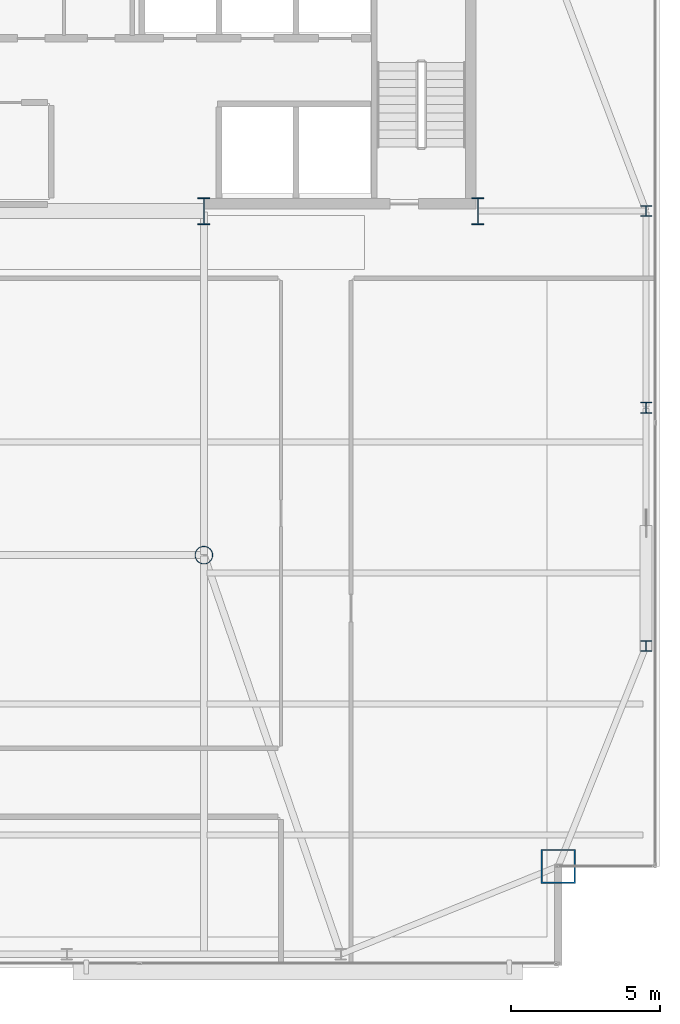
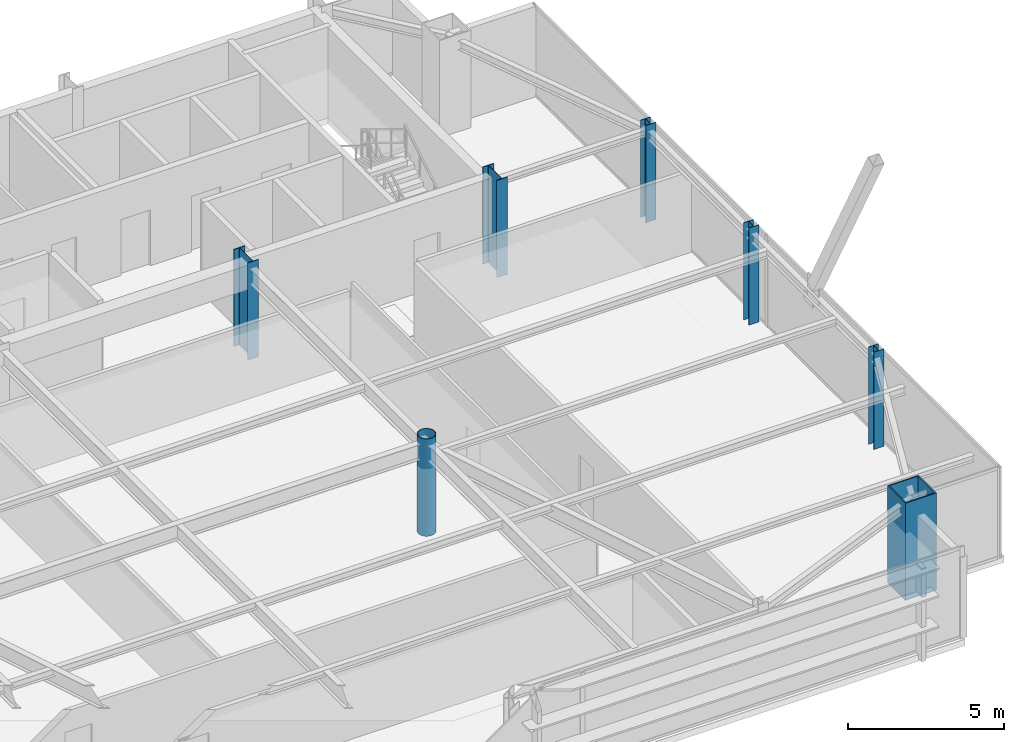
# One storey, part 2 of 27: 7 columns.
"""IFC4 building model written with IfcOpenShell, lengths in metres."""

from ifc_helpers import new_model, si_unit, direction, frame, origin, origin_2d, place, context, subcontext, project, spatial, hollow_rectangle, hollow_circle, i_section, extrude, source, transform, mapped, material, material_profile, profile_set, type_object, type_shapes, element, save


model = new_model("IFC4")

# Units and contexts
model_context = context("Model", 3, precision=1e-05, world=origin(), true_north=direction((0.0, 1.0)))
body_context = subcontext(model_context, "Body", "Model", "MODEL_VIEW")
ifc_project = project(units=[si_unit("LENGTHUNIT", "METRE"), si_unit("AREAUNIT", "SQUARE_METRE"), si_unit("VOLUMEUNIT", "CUBIC_METRE"), si_unit("PLANEANGLEUNIT", "RADIAN"), si_unit("MASSUNIT", "GRAM", prefix="KILO")], contexts=[model_context])

# Site, building, storey
site_placement = place(None, origin())
site = spatial("IfcSite", under=ifc_project, at=site_placement, CompositionType="ELEMENT")
building_placement = place(site_placement, origin())
building = spatial("IfcBuilding", under=site, at=building_placement, Name="Varnel Quay Broadcast Tower", CompositionType="ELEMENT")
storey_placement = place(building_placement, frame((0.0, 0.0, 203.60009765625)))
storey = spatial("IfcBuildingStorey", under=building, at=storey_placement, Name="L50", CompositionType="ELEMENT", Elevation=203.60009765625)

# Columns
ifc_material_1 = material(Name="Structural Steel CSA G40.21 350WT", Category="steel")
ifc_material_profile_1 = material_profile(ifc_material_1, i_section(OverallWidth=0.39990234375, OverallDepth=0.89990234375, WebThickness=0.01611328125, FlangeThickness=0.028076171875, FilletRadius=0.01611328125, at=origin_2d()), Name="WWF900X309")
ifc_profile_set_1 = profile_set([ifc_material_profile_1], Name="Structural Steel CSA G40.21 350WT")
column_type_1 = type_object("IfcColumnType", Name="Col_WWF900X309", PredefinedType="COLUMN", material=ifc_profile_set_1)
shared_shape_1 = source(origin(), body_context, "Body", "SweptSolid", [
    extrude(i_section(OverallWidth=0.39990234375, OverallDepth=0.89990234375, WebThickness=0.01611328125, FlangeThickness=0.028076171875, FilletRadius=0.01611328125, at=origin_2d()), origin(), (0.0, 0.0, 1.0), 3.7998046875),
])
type_shapes(column_type_1, [shared_shape_1])
for number, where, z_axis, x_axis, name in (
    (1, (43.199951171875, 35.60009765625, 0.0), (0.0, 0.0, 1.0), (1.0, 0.0, 0.0), "L50 Column CC-S4"),
    (2, (52.39990234375, 35.60009765625, 0.0), (0.0, 0.0, 1.0), (1.0, 0.0, 0.0), "L50 Column CC-S5"),
):
    element("IfcColumn", number, at=place(storey_placement, frame(where, z_axis=z_axis, x_axis=x_axis)), inside=storey, type_object=column_type_1, Name=name, PredefinedType="COLUMN", context=body_context, shape_type="MappedRepresentation", body=[
        mapped(shared_shape_1, transform((0.0, 0.0, 0.0), x_axis=(1.0, 0.0, 0.0), y_axis=(0.0, 1.0, 0.0), z_axis=(0.0, 0.0, 1.0), scale=1.0)),
    ])
ifc_material_profile_2 = material_profile(ifc_material_1, hollow_rectangle(XDim=1.14990234375, YDim=1.14990234375, WallThickness=0.044921875, at=origin_2d()), Name="BOX1150X1150X45")
ifc_profile_set_2 = profile_set([ifc_material_profile_2], Name="Structural Steel CSA G40.21 350WT")
column_type_2 = type_object("IfcColumnType", Name="Col_BOX1150X1150X45", PredefinedType="COLUMN", material=ifc_profile_set_2)
shared_shape_2 = source(origin(), body_context, "Body", "SweptSolid", [
    extrude(hollow_rectangle(XDim=1.14990234375, YDim=1.14990234375, WallThickness=0.044921875, at=origin_2d()), origin(), (0.0, 0.0, 1.0), 3.7998046875),
])
type_shapes(column_type_2, [shared_shape_2])
column_1_placement = place(storey_placement, frame((55.10009765625, 13.60009765625, 0.0), z_axis=(0.0, 0.0, 1.0), x_axis=(1.0, 0.0, 0.0)))
element("IfcColumn", 3, at=column_1_placement, inside=storey, type_object=column_type_2, Name="L50 Column MC-SE", PredefinedType="COLUMN", context=body_context, shape_type="MappedRepresentation", body=[
    mapped(shared_shape_2, transform((0.0, 0.0, 0.0), x_axis=(1.0, 0.0, 0.0), y_axis=(0.0, 1.0, 0.0), z_axis=(0.0, 0.0, 1.0), scale=1.0)),
])
ifc_material_2 = material(Name="Structural Steel CSA G40.21 350W", Category="steel")
ifc_material_profile_3 = material_profile(ifc_material_2, i_section(OverallWidth=0.368896484375, OverallDepth=0.35595703125, WebThickness=0.01123046875, FlangeThickness=0.01806640625, FilletRadius=0.01611328125, at=origin_2d()), Name="W360X134")
ifc_profile_set_3 = profile_set([ifc_material_profile_3], Name="Structural Steel CSA G40.21 350W")
column_type_3 = type_object("IfcColumnType", Name="Col_W360X134", PredefinedType="COLUMN", material=ifc_profile_set_3)
shared_shape_3 = source(origin(), body_context, "Body", "SweptSolid", [
    extrude(i_section(OverallWidth=0.368896484375, OverallDepth=0.35595703125, WebThickness=0.01123046875, FlangeThickness=0.01806640625, FilletRadius=0.01611328125, at=origin_2d()), origin(), (0.0, 0.0, 1.0), 3.7998046875),
])
type_shapes(column_type_3, [shared_shape_3])
for number, where, z_axis, x_axis, name in (
    (4, (58.050048828125, 21.0, 0.0), (0.0, 0.0, 1.0), (1.0, 0.0, 0.0), "L50 Column TC-E1"),
    (5, (58.050048828125, 29.0, 0.0), (0.0, 0.0, 1.0), (1.0, 0.0, 0.0), "L50 Column TC-E2"),
    (6, (58.050048828125, 35.60009765625, 0.0), (0.0, 0.0, 1.0), (1.0, 0.0, 0.0), "L50 Column TC-E3"),
):
    element("IfcColumn", number, at=place(storey_placement, frame(where, z_axis=z_axis, x_axis=x_axis)), inside=storey, type_object=column_type_3, Name=name, PredefinedType="COLUMN", context=body_context, shape_type="MappedRepresentation", body=[
        mapped(shared_shape_3, transform((0.0, 0.0, 0.0), x_axis=(1.0, 0.0, 0.0), y_axis=(0.0, 1.0, 0.0), z_axis=(0.0, 0.0, 1.0), scale=1.0)),
    ])
ifc_material_profile_4 = material_profile(ifc_material_2, hollow_circle(Radius=0.304931640625, WallThickness=0.02490234375, at=origin_2d()), Name="CHS610X25")
ifc_profile_set_4 = profile_set([ifc_material_profile_4], Name="Structural Steel CSA G40.21 350W")
column_type_4 = type_object("IfcColumnType", Name="Col_CHS610X25", PredefinedType="COLUMN", material=ifc_profile_set_4)
shared_shape_4 = source(origin(), body_context, "Body", "SweptSolid", [
    extrude(hollow_circle(Radius=0.304931640625, WallThickness=0.02490234375, at=origin_2d()), origin(), (0.0, 0.0, 1.0), 3.7998046875),
])
type_shapes(column_type_4, [shared_shape_4])
column_2_placement = place(storey_placement, frame((43.199951171875, 24.050048828125, 0.0), z_axis=(0.0, 0.0, 1.0), x_axis=(1.0, 0.0, 0.0)))
element("IfcColumn", 7, at=column_2_placement, inside=storey, type_object=column_type_4, Name="L50 Column IC-02", PredefinedType="COLUMN", context=body_context, shape_type="MappedRepresentation", body=[
    mapped(shared_shape_4, transform((0.0, 0.0, 0.0), x_axis=(1.0, 0.0, 0.0), y_axis=(0.0, 1.0, 0.0), z_axis=(0.0, 0.0, 1.0), scale=1.0)),
])

save(model, "model.ifc")
